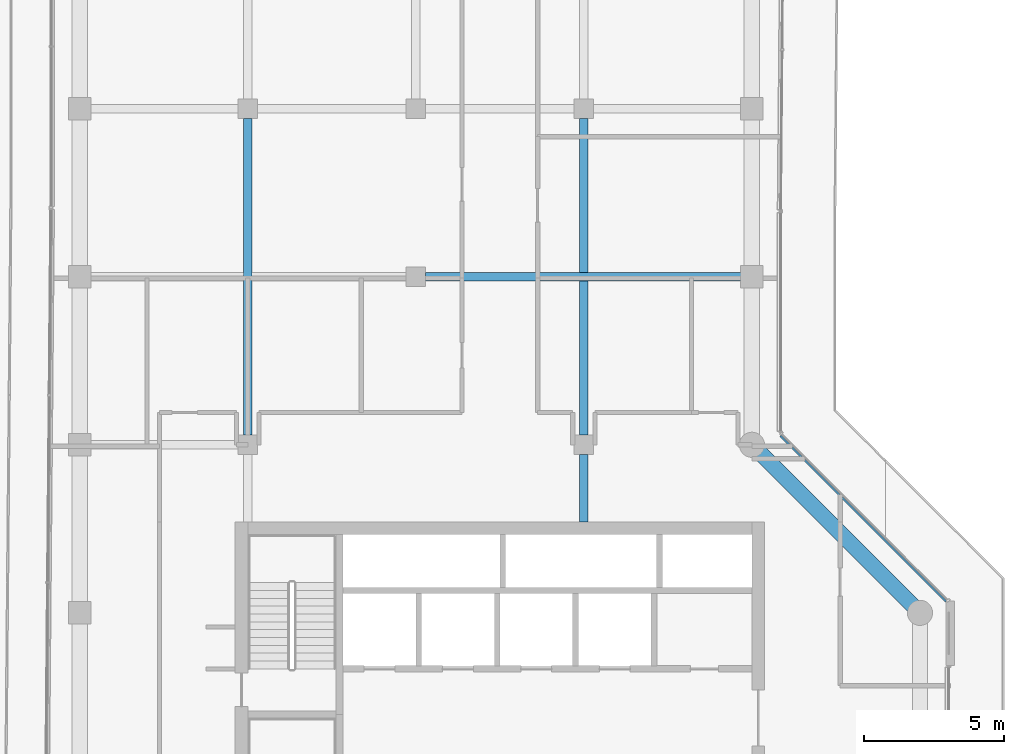
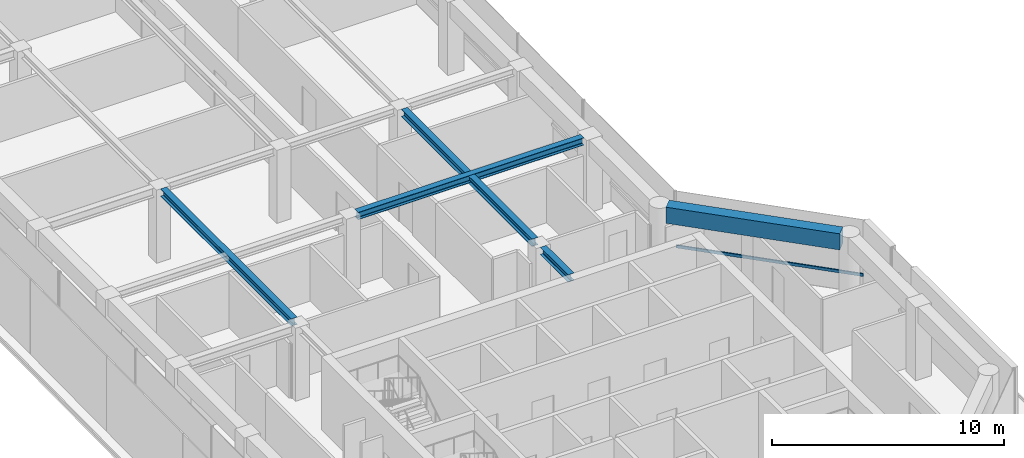
# One storey, part 5 of 19: 5 beams, 1 member, 1 element without a shape of its own.
"""IFC4 building model written with IfcOpenShell, lengths in metres."""

from ifc_helpers import new_model, si_unit, direction, frame, origin, origin_2d, place, context, subcontext, project, spatial, rectangle, i_section, extrude, material, layer, layer_set, material_profile, profile_set, type_object, element, aggregate, save


model = new_model("IFC4")

# Units and contexts
model_context = context("Model", 3, precision=1e-05, world=origin(), true_north=direction((0.0, 1.0)))
body_context = subcontext(model_context, "Body", "Model", "MODEL_VIEW")
ifc_project = project(units=[si_unit("LENGTHUNIT", "METRE"), si_unit("AREAUNIT", "SQUARE_METRE"), si_unit("VOLUMEUNIT", "CUBIC_METRE"), si_unit("PLANEANGLEUNIT", "RADIAN"), si_unit("MASSUNIT", "GRAM", prefix="KILO")], contexts=[model_context])

# Site, building, storey
site_placement = place(None, origin())
site = spatial("IfcSite", under=ifc_project, at=site_placement, CompositionType="ELEMENT")
building_placement = place(site_placement, origin())
building = spatial("IfcBuilding", under=site, at=building_placement, Name="Welwitschia Terrace Campus", CompositionType="ELEMENT")
storey_placement = place(building_placement, frame((0.0, 0.0, 230.60009765625)))
storey = spatial("IfcBuildingStorey", under=building, at=storey_placement, Name="L51", CompositionType="ELEMENT", Elevation=230.60009765625)

# Beams
ifc_material_1 = material(Name="Steel S355", Category="steel")
ifc_material_profile_1 = material_profile(ifc_material_1, i_section(OverallWidth=0.300048828125, OverallDepth=0.389892578125, WebThickness=0.010986328125, FlangeThickness=0.01904296875, FilletRadius=0.027099609375, at=origin_2d()))
ifc_profile_set_1 = profile_set([ifc_material_profile_1], Name="Steel S355")
beam_type_1 = type_object("IfcBeamType", Name="Interior girder HE 400 A", PredefinedType="BEAM", material=ifc_profile_set_1)
beam_1_placement = place(storey_placement, frame((12.3505859375, 34.0, 3.65478515625), z_axis=(1.0, 0.0, 0.0), x_axis=(0.0, 1.0, 0.0)))
element("IfcBeam", 1, at=beam_1_placement, inside=storey, type_object=beam_type_1, Name="Girder GB5", PredefinedType="BEAM", context=body_context, shape_type="SweptSolid", body=[
    extrude(i_section(OverallWidth=0.300048828125, OverallDepth=0.389892578125, WebThickness=0.010986328125, FlangeThickness=0.01904296875, FilletRadius=0.027099609375, at=origin_2d()), origin(), (0.0, 0.0, 1.0), 11.259033203125),
])
beam_2_placement = place(storey_placement, frame((6.0, 28.3505859375, 3.65478515625), z_axis=(0.0, 1.0, 0.0), x_axis=(-1.0, 0.0, 0.0)))
element("IfcBeam", 2, at=beam_2_placement, inside=storey, type_object=beam_type_1, Name="Girder GB5", PredefinedType="BEAM", context=body_context, shape_type="SweptSolid", body=[
    extrude(i_section(OverallWidth=0.300048828125, OverallDepth=0.389892578125, WebThickness=0.010986328125, FlangeThickness=0.01904296875, FilletRadius=0.027099609375, at=origin_2d()), origin(), (0.0, 0.0, 1.0), 11.298828125),
])
beam_3_placement = place(storey_placement, frame((18.0, 25.2509765625, 3.65478515625), z_axis=(0.0, 1.0, 0.0), x_axis=(-1.0, 0.0, 0.0)))
element("IfcBeam", 3, at=beam_3_placement, inside=storey, type_object=beam_type_1, Name="Girder GB5", PredefinedType="BEAM", context=body_context, shape_type="SweptSolid", body=[
    extrude(i_section(OverallWidth=0.300048828125, OverallDepth=0.389892578125, WebThickness=0.010986328125, FlangeThickness=0.01904296875, FilletRadius=0.027099609375, at=origin_2d()), origin(), (0.0, 0.0, 1.0), 2.3984375),
])
beam_4_placement = place(storey_placement, frame((18.0, 28.3505859375, 3.65478515625), z_axis=(0.0, 1.0, 0.0), x_axis=(-1.0, 0.0, 0.0)))
element("IfcBeam", 4, at=beam_4_placement, inside=storey, type_object=beam_type_1, Name="Girder GB5", PredefinedType="BEAM", context=body_context, shape_type="SweptSolid", body=[
    extrude(i_section(OverallWidth=0.300048828125, OverallDepth=0.389892578125, WebThickness=0.010986328125, FlangeThickness=0.01904296875, FilletRadius=0.027099609375, at=origin_2d()), origin(), (0.0, 0.0, 1.0), 11.298828125),
])
ifc_material_2 = material(Name="Concrete C50/60", Category="concrete")
ifc_material_profile_2 = material_profile(ifc_material_2, rectangle(XDim=0.550048828125, YDim=0.85009765625, at=origin_2d()))
ifc_profile_set_2 = profile_set([ifc_material_profile_2], Name="Concrete C50/60")
beam_type_2 = type_object("IfcBeamType", Name="Ring spandrel 550x850", PredefinedType="SPANDREL", material=ifc_profile_set_2)
beam_5_placement = place(storey_placement, frame((29.74755859375, 22.25244140625, 3.4248046875), z_axis=(-0.707106781187, 0.707106781187, 0.0), x_axis=(-0.707106781187, -0.707106781187, 0.0)))
element("IfcBeam", 5, at=beam_5_placement, inside=storey, type_object=beam_type_2, Name="Spandrel SP3", PredefinedType="SPANDREL", context=body_context, shape_type="SweptSolid", body=[
    extrude(rectangle(XDim=0.550048828125, YDim=0.85009765625, at=origin_2d()), origin(), (0.0, 0.0, 1.0), 7.771240234375),
])

# Curtain wall, member
ifc_material_3 = material(Name="Bronze anodised aluminium", Category="aluminium")
ifc_layer = layer(ifc_material_3, 0.1201171875)
ifc_layer_set = layer_set([ifc_layer], Name="Bronze anodised aluminium")
curtain_wall_type = type_object("IfcCurtainWallType", Name="Curtain wall CW2 tower 6000", PredefinedType="NOTDEFINED", material=ifc_layer_set)
curtain_wall_placement = place(storey_placement, origin())
curtain_wall = element("IfcCurtainWall", 6, at=curtain_wall_placement, inside=storey, type_object=curtain_wall_type, Name="CW L51.8.0", PredefinedType="NOTDEFINED")
ifc_material_4 = material(Name="Bronze anodised aluminium", Category="aluminium")
ifc_material_profile_3 = material_profile(ifc_material_4, rectangle(XDim=0.06005859375, YDim=0.14990234375, at=origin_2d()))
ifc_profile_set_3 = profile_set([ifc_material_profile_3], Name="Bronze anodised aluminium")
member_type = type_object("IfcMemberType", Name="Transom 60x150", PredefinedType="USERDEFINED", material=ifc_profile_set_3)
member_placement = place(storey_placement, frame((30.923828125, 22.405517578125, 1.0), z_axis=(-0.707106781187, 0.707106781187, 0.0), x_axis=(-0.707106781187, -0.707106781187, 0.0)))
member = element("IfcMember", 7, at=member_placement, type_object=member_type, Name="Transom L51.8.0", ObjectType="TRANSOM", PredefinedType="USERDEFINED", context=body_context, shape_type="SweptSolid", body=[
    extrude(rectangle(XDim=0.06005859375, YDim=0.14990234375, at=origin_2d()), origin(), (0.0, 0.0, 1.0), 8.365234375),
])
aggregate(curtain_wall, [member])

save(model, "model.ifc")
